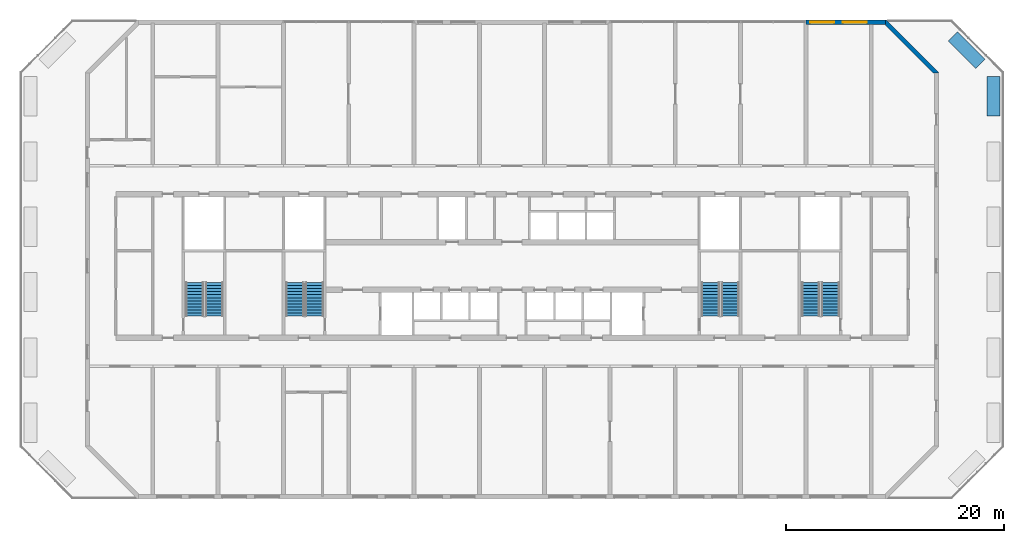
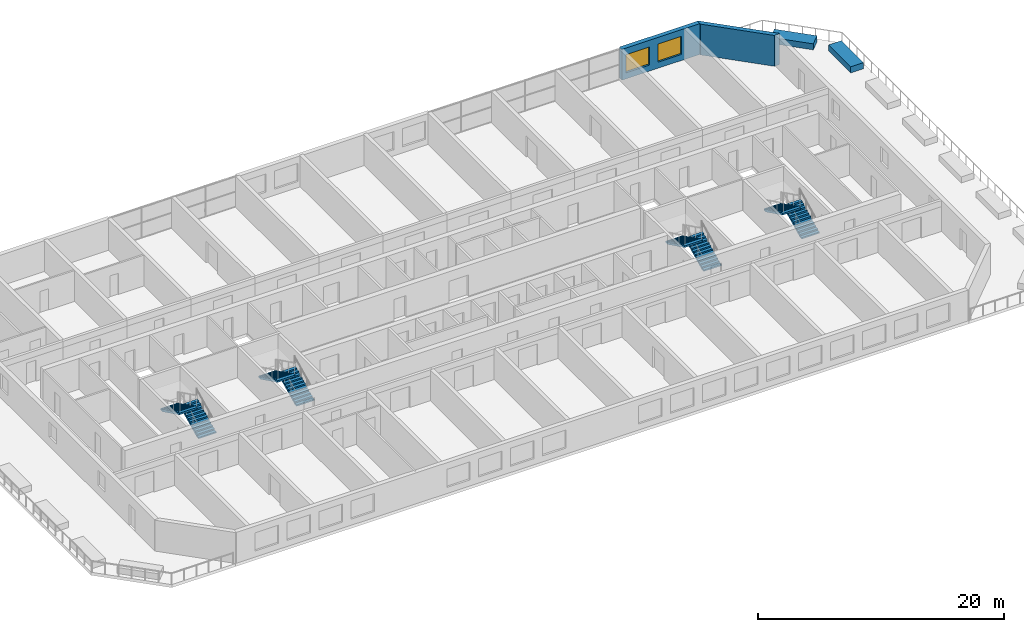
# One storey, part 14 of 18: 8 stair flights, 4 walls, 2 windows, 2 openings, 4 elements without a shape of their own.
"""IFC4 building model written with IfcOpenShell, lengths in metres."""

from ifc_helpers import new_model, si_unit, direction, frame, frame_2d, origin, place, context, subcontext, project, spatial, polyline, rectangle, outline, extrude, source, transform, mapped, material, layer, layer_set, type_object, element, fill, aggregate, save


model = new_model("IFC4")

# Units and contexts
model_context = context("Model", 3, precision=1e-05, world=origin(), true_north=direction((0.0, 1.0)))
body_context = subcontext(model_context, "Body", "Model", "MODEL_VIEW")
ifc_project = project(units=[si_unit("LENGTHUNIT", "METRE"), si_unit("AREAUNIT", "SQUARE_METRE"), si_unit("VOLUMEUNIT", "CUBIC_METRE"), si_unit("PLANEANGLEUNIT", "RADIAN"), si_unit("MASSUNIT", "GRAM", prefix="KILO")], contexts=[model_context])

# Site, building, storey
site_placement = place(None, origin())
site = spatial("IfcSite", under=ifc_project, at=site_placement, CompositionType="ELEMENT")
building_placement = place(site_placement, origin())
building = spatial("IfcBuilding", under=site, at=building_placement, Name="Poui Terraces", CompositionType="ELEMENT")
storey_placement = place(building_placement, frame((0.0, 0.0, 105.89990234375)))
storey = spatial("IfcBuildingStorey", under=building, at=storey_placement, Name="L29", CompositionType="ELEMENT", Elevation=105.89990234375)

# Wall, openings, windows
ifc_material_1 = material(Name="Precast concrete 40 MPa", Category="concrete")
ifc_layer_1 = layer(ifc_material_1, 0.39990234375)
ifc_layer_set_1 = layer_set([ifc_layer_1], Name="Precast concrete 40 MPa")
wall_type_1 = type_object("IfcWallType", Name="EXTERNAL WALL 400", PredefinedType="STANDARD", material=ifc_layer_set_1)
wall_1_placement = place(storey_placement, frame((85.317138671875, 43.60009765625, 0.0), z_axis=(0.0, 0.0, 1.0), x_axis=(-1.0, 0.0, 0.0)))
wall_1 = element("IfcWall", 1, at=wall_1_placement, inside=storey, type_object=wall_type_1, Name="EXTERNAL WALL N", PredefinedType="STANDARD", context=body_context, shape_type="SweptSolid", body=[
    extrude(rectangle(XDim=7.317138671875, YDim=0.39990234375, at=frame_2d((3.65869140625, 0.0))), origin(), (0.0, 0.0, 1.0), 3.06005859375),
])
opening_1_placement = place(wall_1_placement, frame((4.71728515625, 0.0, 0.60009765625)))
opening_1 = element("IfcOpeningElement", 2, at=opening_1_placement, cuts=wall_1, Name="Opening W3", PredefinedType="OPENING", context=body_context, shape_type="SweptSolid", body=[
    extrude(rectangle(XDim=2.199951171875, YDim=1.800048828125, at=frame_2d((1.10009765625, 0.89990234375))), frame((0.0, 0.2099609375, 0.0), z_axis=(0.0, -1.0, 0.0), x_axis=(1.0, 0.0, 0.0)), (0.0, 0.0, 1.0), 0.419921875),
])
opening_2_placement = place(wall_1_placement, frame((1.71728515625, 0.0, 0.60009765625)))
opening_2 = element("IfcOpeningElement", 3, at=opening_2_placement, cuts=wall_1, Name="Opening W3", PredefinedType="OPENING", context=body_context, shape_type="SweptSolid", body=[
    extrude(rectangle(XDim=2.199951171875, YDim=1.800048828125, at=frame_2d((1.10009765625, 0.89990234375))), frame((0.0, 0.2099609375, 0.0), z_axis=(0.0, -1.0, 0.0), x_axis=(1.0, 0.0, 0.0)), (0.0, 0.0, 1.0), 0.419921875),
])
ifc_material_2 = material(Name="Clear glass in aluminium frame", Category="aluminium")
window_type = type_object("IfcWindowType", Name="WINDOW 2200X1800", PartitioningType="DOUBLE_PANEL_HORIZONTAL", PredefinedType="WINDOW", material=ifc_material_2)
window_1_placement = place(opening_1_placement, origin())
window_1 = element("IfcWindow", 4, at=window_1_placement, inside=storey, type_object=window_type, Name="W3 WINDOW", OverallHeight=1.800048828125, OverallWidth=2.199951171875, PartitioningType="DOUBLE_PANEL_HORIZONTAL", PredefinedType="WINDOW", context=body_context, shape_type="SweptSolid", body=[
    extrude(rectangle(XDim=2.199951171875, YDim=1.800048828125, at=frame_2d((1.10009765625, 0.89990234375))), frame((0.0, 0.030029296875, 0.0), z_axis=(0.0, -1.0, 0.0), x_axis=(1.0, 0.0, 0.0)), (0.0, 0.0, 1.0), 0.06005859375),
])
fill(opening_1, window_1)
window_2_placement = place(opening_2_placement, origin())
window_2 = element("IfcWindow", 5, at=window_2_placement, inside=storey, type_object=window_type, Name="W3 WINDOW", OverallHeight=1.800048828125, OverallWidth=2.199951171875, PartitioningType="DOUBLE_PANEL_HORIZONTAL", PredefinedType="WINDOW", context=body_context, shape_type="SweptSolid", body=[
    extrude(rectangle(XDim=2.199951171875, YDim=1.800048828125, at=frame_2d((1.10009765625, 0.89990234375))), frame((0.0, 0.030029296875, 0.0), z_axis=(0.0, -1.0, 0.0), x_axis=(1.0, 0.0, 0.0)), (0.0, 0.0, 1.0), 0.06005859375),
])
fill(opening_2, window_2)

# Walls
ifc_layer_2 = layer(ifc_material_1, 0.39990234375)
ifc_layer_set_2 = layer_set([ifc_layer_2], Name="Precast concrete 40 MPa")
wall_type_2 = type_object("IfcWallType", Name="TERRACOTTA CLAD CHAMFER WALL 400", PredefinedType="STANDARD", material=ifc_layer_set_2)
wall_2_placement = place(storey_placement, origin())
element("IfcWall", 6, at=wall_2_placement, inside=storey, type_object=wall_type_2, Name="CHAMFER WALL CH03", PredefinedType="STANDARD", context=body_context, shape_type="SweptSolid", body=[
    extrude(outline(polyline([(90.199951171875, 38.917236328125), (90.199951171875, 39.0), (85.39990234375, 43.800048828125), (85.317138671875, 43.800048828125), (85.317138671875, 43.317138671875), (89.71728515625, 38.917236328125), (90.199951171875, 38.917236328125)])), origin(), (0.0, 0.0, 1.0), 3.06005859375),
])
ifc_layer_3 = layer(ifc_material_1, 1.199951171875)
ifc_layer_set_3 = layer_set([ifc_layer_3], Name="Precast concrete 40 MPa")
wall_type_3 = type_object("IfcWallType", Name="PLANTER 600", PredefinedType="USERDEFINED", material=ifc_layer_set_3)
shared_shape_1 = source(origin(), body_context, "Body", "SweptSolid", [
    extrude(outline(polyline([(0.0, 0.0), (1.199951171875, 0.0), (1.199951171875, 3.60009765625), (0.0, 3.60009765625), (0.0, 0.0)])), origin(), (0.0, 0.0, 1.0), 0.60009765625),
])
wall_3_placement = place(storey_placement, frame((94.6201171875, 35.0, 0.0)))
element("IfcWall", 7, at=wall_3_placement, inside=storey, type_object=wall_type_3, Name="PLANTER", ObjectType="PLANTER", PredefinedType="USERDEFINED", context=body_context, shape_type="MappedRepresentation", body=[
    mapped(shared_shape_1, transform((0.0, 0.0, 0.0))),
])
shared_shape_2 = source(origin(), body_context, "Body", "SweptSolid", [
    extrude(outline(polyline([(0.0, 0.0), (2.54541015625, -2.545654296875), (3.39404296875, -1.697021484375), (0.848388671875, 0.8486328125), (0.0, 0.0)])), origin(), (0.0, 0.0, 1.0), 0.60009765625),
])
wall_4_placement = place(storey_placement, frame((91.076171875, 41.889404296875, 0.0)))
element("IfcWall", 8, at=wall_4_placement, inside=storey, type_object=wall_type_3, Name="PLANTER", ObjectType="PLANTER", PredefinedType="USERDEFINED", context=body_context, shape_type="MappedRepresentation", body=[
    mapped(shared_shape_2, transform((0.0, 0.0, 0.0))),
])

# Stair, stair flights
ifc_material_3 = material(Name="Concrete 65 MPa", Category="concrete")
stair_type = type_object("IfcStairType", Name="EXIT STAIR 1650 65 MPA", PredefinedType="HALF_TURN_STAIR", material=ifc_material_3)
stair_1_placement = place(storey_placement, origin())
stair_1 = element("IfcStair", 9, at=stair_1_placement, inside=storey, type_object=stair_type, Name="L29 CORE STAIR EAST", PredefinedType="HALF_TURN_STAIR")
ifc_layer_4 = layer(ifc_material_3, 0.14990234375)
ifc_layer_set_4 = layer_set([ifc_layer_4], Name="Concrete 65 MPa")
stair_flight_type = type_object("IfcStairFlightType", Name="STAIR FLIGHT 12 RISERS 138 RISE 65 MPA", PredefinedType="STRAIGHT", material=ifc_layer_set_4)
stair_flight_1_placement = place(storey_placement, frame((71.050048828125, 16.60009765625, 0.0), z_axis=(0.0, 0.0, 1.0), x_axis=(0.0, 1.0, 0.0)))
stair_flight_1 = element("IfcStairFlight", 10, at=stair_flight_1_placement, type_object=stair_flight_type, Name="ST-CE flight 1", NumberOfRisers=12, NumberOfTreads=11, PredefinedType="STRAIGHT", RiserHeight=0.1375, TreadLength=0.28, context=body_context, shape_type="SweptSolid", body=[
    extrude(outline(polyline([(0.0, 0.0), (0.0, 0.137451171875), (0.280029296875, 0.137451171875), (0.280029296875, 0.27490234375), (0.56005859375, 0.27490234375), (0.56005859375, 0.41259765625), (0.840087890625, 0.41259765625), (0.840087890625, 0.550048828125), (1.1201171875, 0.550048828125), (1.1201171875, 0.6875), (1.39990234375, 0.6875), (1.39990234375, 0.824951171875), (1.679931640625, 0.824951171875), (1.679931640625, 0.96240234375), (1.9599609375, 0.96240234375), (1.9599609375, 1.10009765625), (2.239990234375, 1.10009765625), (2.239990234375, 1.237548828125), (2.52001953125, 1.237548828125), (2.52001953125, 1.375), (2.800048828125, 1.375), (2.800048828125, 1.512451171875), (3.080078125, 1.512451171875), (3.080078125, 1.64990234375), (3.080078125, 1.345458984375), (0.340087890625, 0.0), (0.0, 0.0)])), frame((0.0, 0.824951171875, 0.0), z_axis=(0.0, -1.0, 0.0), x_axis=(1.0, 0.0, 0.0)), (0.0, 0.0, 1.0), 1.64990234375),
])
stair_flight_2_placement = place(storey_placement, frame((69.25, 19.679931640625, 1.650146484375), z_axis=(0.0, 0.0, 1.0), x_axis=(0.0, -1.0, 0.0)))
stair_flight_2 = element("IfcStairFlight", 11, at=stair_flight_2_placement, type_object=stair_flight_type, Name="ST-CE flight 2", NumberOfRisers=12, NumberOfTreads=11, PredefinedType="STRAIGHT", RiserHeight=0.1375, TreadLength=0.28, context=body_context, shape_type="SweptSolid", body=[
    extrude(outline(polyline([(0.0, 0.0), (0.0, 0.137451171875), (0.280029296875, 0.137451171875), (0.280029296875, 0.27490234375), (0.56005859375, 0.27490234375), (0.56005859375, 0.41259765625), (0.840087890625, 0.41259765625), (0.840087890625, 0.550048828125), (1.1201171875, 0.550048828125), (1.1201171875, 0.6875), (1.39990234375, 0.6875), (1.39990234375, 0.824951171875), (1.679931640625, 0.824951171875), (1.679931640625, 0.96240234375), (1.9599609375, 0.96240234375), (1.9599609375, 1.10009765625), (2.239990234375, 1.10009765625), (2.239990234375, 1.237548828125), (2.52001953125, 1.237548828125), (2.52001953125, 1.375), (2.800048828125, 1.375), (2.800048828125, 1.512451171875), (3.080078125, 1.512451171875), (3.080078125, 1.64990234375), (3.080078125, 1.345458984375), (0.340087890625, 0.0), (0.0, 0.0)])), frame((0.0, 0.824951171875, 0.0), z_axis=(0.0, -1.0, 0.0), x_axis=(1.0, 0.0, 0.0)), (0.0, 0.0, 1.0), 1.64990234375),
])
aggregate(stair_1, [stair_flight_1, stair_flight_2])

stair_2_placement = place(storey_placement, origin())
stair_2 = element("IfcStair", 12, at=stair_2_placement, inside=storey, type_object=stair_type, Name="L29 CORE STAIR WEST", PredefinedType="HALF_TURN_STAIR")
stair_flight_3_placement = place(storey_placement, frame((32.85009765625, 16.60009765625, 0.0), z_axis=(0.0, 0.0, 1.0), x_axis=(0.0, 1.0, 0.0)))
stair_flight_3 = element("IfcStairFlight", 13, at=stair_flight_3_placement, type_object=stair_flight_type, Name="ST-CW flight 1", NumberOfRisers=12, NumberOfTreads=11, PredefinedType="STRAIGHT", RiserHeight=0.1375, TreadLength=0.28, context=body_context, shape_type="SweptSolid", body=[
    extrude(outline(polyline([(0.0, 0.0), (0.0, 0.137451171875), (0.280029296875, 0.137451171875), (0.280029296875, 0.27490234375), (0.56005859375, 0.27490234375), (0.56005859375, 0.41259765625), (0.840087890625, 0.41259765625), (0.840087890625, 0.550048828125), (1.1201171875, 0.550048828125), (1.1201171875, 0.6875), (1.39990234375, 0.6875), (1.39990234375, 0.824951171875), (1.679931640625, 0.824951171875), (1.679931640625, 0.96240234375), (1.9599609375, 0.96240234375), (1.9599609375, 1.10009765625), (2.239990234375, 1.10009765625), (2.239990234375, 1.237548828125), (2.52001953125, 1.237548828125), (2.52001953125, 1.375), (2.800048828125, 1.375), (2.800048828125, 1.512451171875), (3.080078125, 1.512451171875), (3.080078125, 1.64990234375), (3.080078125, 1.345458984375), (0.340087890625, 0.0), (0.0, 0.0)])), frame((0.0, 0.824951171875, 0.0), z_axis=(0.0, -1.0, 0.0), x_axis=(1.0, 0.0, 0.0)), (0.0, 0.0, 1.0), 1.64990234375),
])
stair_flight_4_placement = place(storey_placement, frame((31.050048828125, 19.679931640625, 1.650146484375), z_axis=(0.0, 0.0, 1.0), x_axis=(0.0, -1.0, 0.0)))
stair_flight_4 = element("IfcStairFlight", 14, at=stair_flight_4_placement, type_object=stair_flight_type, Name="ST-CW flight 2", NumberOfRisers=12, NumberOfTreads=11, PredefinedType="STRAIGHT", RiserHeight=0.1375, TreadLength=0.28, context=body_context, shape_type="SweptSolid", body=[
    extrude(outline(polyline([(0.0, 0.0), (0.0, 0.137451171875), (0.280029296875, 0.137451171875), (0.280029296875, 0.27490234375), (0.56005859375, 0.27490234375), (0.56005859375, 0.41259765625), (0.840087890625, 0.41259765625), (0.840087890625, 0.550048828125), (1.1201171875, 0.550048828125), (1.1201171875, 0.6875), (1.39990234375, 0.6875), (1.39990234375, 0.824951171875), (1.679931640625, 0.824951171875), (1.679931640625, 0.96240234375), (1.9599609375, 0.96240234375), (1.9599609375, 1.10009765625), (2.239990234375, 1.10009765625), (2.239990234375, 1.237548828125), (2.52001953125, 1.237548828125), (2.52001953125, 1.375), (2.800048828125, 1.375), (2.800048828125, 1.512451171875), (3.080078125, 1.512451171875), (3.080078125, 1.64990234375), (3.080078125, 1.345458984375), (0.340087890625, 0.0), (0.0, 0.0)])), frame((0.0, 0.824951171875, 0.0), z_axis=(0.0, -1.0, 0.0), x_axis=(1.0, 0.0, 0.0)), (0.0, 0.0, 1.0), 1.64990234375),
])
aggregate(stair_2, [stair_flight_3, stair_flight_4])

stair_3_placement = place(storey_placement, origin())
stair_3 = element("IfcStair", 15, at=stair_3_placement, inside=storey, type_object=stair_type, Name="L29 TIP STAIR EAST", PredefinedType="HALF_TURN_STAIR")
stair_flight_5_placement = place(storey_placement, frame((80.25, 16.60009765625, 0.0), z_axis=(0.0, 0.0, 1.0), x_axis=(0.0, 1.0, 0.0)))
stair_flight_5 = element("IfcStairFlight", 16, at=stair_flight_5_placement, type_object=stair_flight_type, Name="ST-E flight 1", NumberOfRisers=12, NumberOfTreads=11, PredefinedType="STRAIGHT", RiserHeight=0.1375, TreadLength=0.28, context=body_context, shape_type="SweptSolid", body=[
    extrude(outline(polyline([(0.0, 0.0), (0.0, 0.137451171875), (0.280029296875, 0.137451171875), (0.280029296875, 0.27490234375), (0.56005859375, 0.27490234375), (0.56005859375, 0.41259765625), (0.840087890625, 0.41259765625), (0.840087890625, 0.550048828125), (1.1201171875, 0.550048828125), (1.1201171875, 0.6875), (1.39990234375, 0.6875), (1.39990234375, 0.824951171875), (1.679931640625, 0.824951171875), (1.679931640625, 0.96240234375), (1.9599609375, 0.96240234375), (1.9599609375, 1.10009765625), (2.239990234375, 1.10009765625), (2.239990234375, 1.237548828125), (2.52001953125, 1.237548828125), (2.52001953125, 1.375), (2.800048828125, 1.375), (2.800048828125, 1.512451171875), (3.080078125, 1.512451171875), (3.080078125, 1.64990234375), (3.080078125, 1.345458984375), (0.340087890625, 0.0), (0.0, 0.0)])), frame((0.0, 0.824951171875, 0.0), z_axis=(0.0, -1.0, 0.0), x_axis=(1.0, 0.0, 0.0)), (0.0, 0.0, 1.0), 1.64990234375),
])
stair_flight_6_placement = place(storey_placement, frame((78.449951171875, 19.679931640625, 1.650146484375), z_axis=(0.0, 0.0, 1.0), x_axis=(0.0, -1.0, 0.0)))
stair_flight_6 = element("IfcStairFlight", 17, at=stair_flight_6_placement, type_object=stair_flight_type, Name="ST-E flight 2", NumberOfRisers=12, NumberOfTreads=11, PredefinedType="STRAIGHT", RiserHeight=0.1375, TreadLength=0.28, context=body_context, shape_type="SweptSolid", body=[
    extrude(outline(polyline([(0.0, 0.0), (0.0, 0.137451171875), (0.280029296875, 0.137451171875), (0.280029296875, 0.27490234375), (0.56005859375, 0.27490234375), (0.56005859375, 0.41259765625), (0.840087890625, 0.41259765625), (0.840087890625, 0.550048828125), (1.1201171875, 0.550048828125), (1.1201171875, 0.6875), (1.39990234375, 0.6875), (1.39990234375, 0.824951171875), (1.679931640625, 0.824951171875), (1.679931640625, 0.96240234375), (1.9599609375, 0.96240234375), (1.9599609375, 1.10009765625), (2.239990234375, 1.10009765625), (2.239990234375, 1.237548828125), (2.52001953125, 1.237548828125), (2.52001953125, 1.375), (2.800048828125, 1.375), (2.800048828125, 1.512451171875), (3.080078125, 1.512451171875), (3.080078125, 1.64990234375), (3.080078125, 1.345458984375), (0.340087890625, 0.0), (0.0, 0.0)])), frame((0.0, 0.824951171875, 0.0), z_axis=(0.0, -1.0, 0.0), x_axis=(1.0, 0.0, 0.0)), (0.0, 0.0, 1.0), 1.64990234375),
])
aggregate(stair_3, [stair_flight_5, stair_flight_6])

stair_4_placement = place(storey_placement, origin())
stair_4 = element("IfcStair", 18, at=stair_4_placement, inside=storey, type_object=stair_type, Name="L29 TIP STAIR WEST", PredefinedType="HALF_TURN_STAIR")
stair_flight_7_placement = place(storey_placement, frame((23.64990234375, 16.60009765625, 0.0), z_axis=(0.0, 0.0, 1.0), x_axis=(0.0, 1.0, 0.0)))
stair_flight_7 = element("IfcStairFlight", 19, at=stair_flight_7_placement, type_object=stair_flight_type, Name="ST-W flight 1", NumberOfRisers=12, NumberOfTreads=11, PredefinedType="STRAIGHT", RiserHeight=0.1375, TreadLength=0.28, context=body_context, shape_type="SweptSolid", body=[
    extrude(outline(polyline([(0.0, 0.0), (0.0, 0.137451171875), (0.280029296875, 0.137451171875), (0.280029296875, 0.27490234375), (0.56005859375, 0.27490234375), (0.56005859375, 0.41259765625), (0.840087890625, 0.41259765625), (0.840087890625, 0.550048828125), (1.1201171875, 0.550048828125), (1.1201171875, 0.6875), (1.39990234375, 0.6875), (1.39990234375, 0.824951171875), (1.679931640625, 0.824951171875), (1.679931640625, 0.96240234375), (1.9599609375, 0.96240234375), (1.9599609375, 1.10009765625), (2.239990234375, 1.10009765625), (2.239990234375, 1.237548828125), (2.52001953125, 1.237548828125), (2.52001953125, 1.375), (2.800048828125, 1.375), (2.800048828125, 1.512451171875), (3.080078125, 1.512451171875), (3.080078125, 1.64990234375), (3.080078125, 1.345458984375), (0.340087890625, 0.0), (0.0, 0.0)])), frame((0.0, 0.824951171875, 0.0), z_axis=(0.0, -1.0, 0.0), x_axis=(1.0, 0.0, 0.0)), (0.0, 0.0, 1.0), 1.64990234375),
])
stair_flight_8_placement = place(storey_placement, frame((21.85009765625, 19.679931640625, 1.650146484375), z_axis=(0.0, 0.0, 1.0), x_axis=(0.0, -1.0, 0.0)))
stair_flight_8 = element("IfcStairFlight", 20, at=stair_flight_8_placement, type_object=stair_flight_type, Name="ST-W flight 2", NumberOfRisers=12, NumberOfTreads=11, PredefinedType="STRAIGHT", RiserHeight=0.1375, TreadLength=0.28, context=body_context, shape_type="SweptSolid", body=[
    extrude(outline(polyline([(0.0, 0.0), (0.0, 0.137451171875), (0.280029296875, 0.137451171875), (0.280029296875, 0.27490234375), (0.56005859375, 0.27490234375), (0.56005859375, 0.41259765625), (0.840087890625, 0.41259765625), (0.840087890625, 0.550048828125), (1.1201171875, 0.550048828125), (1.1201171875, 0.6875), (1.39990234375, 0.6875), (1.39990234375, 0.824951171875), (1.679931640625, 0.824951171875), (1.679931640625, 0.96240234375), (1.9599609375, 0.96240234375), (1.9599609375, 1.10009765625), (2.239990234375, 1.10009765625), (2.239990234375, 1.237548828125), (2.52001953125, 1.237548828125), (2.52001953125, 1.375), (2.800048828125, 1.375), (2.800048828125, 1.512451171875), (3.080078125, 1.512451171875), (3.080078125, 1.64990234375), (3.080078125, 1.345458984375), (0.340087890625, 0.0), (0.0, 0.0)])), frame((0.0, 0.824951171875, 0.0), z_axis=(0.0, -1.0, 0.0), x_axis=(1.0, 0.0, 0.0)), (0.0, 0.0, 1.0), 1.64990234375),
])
aggregate(stair_4, [stair_flight_7, stair_flight_8])

save(model, "model.ifc")
